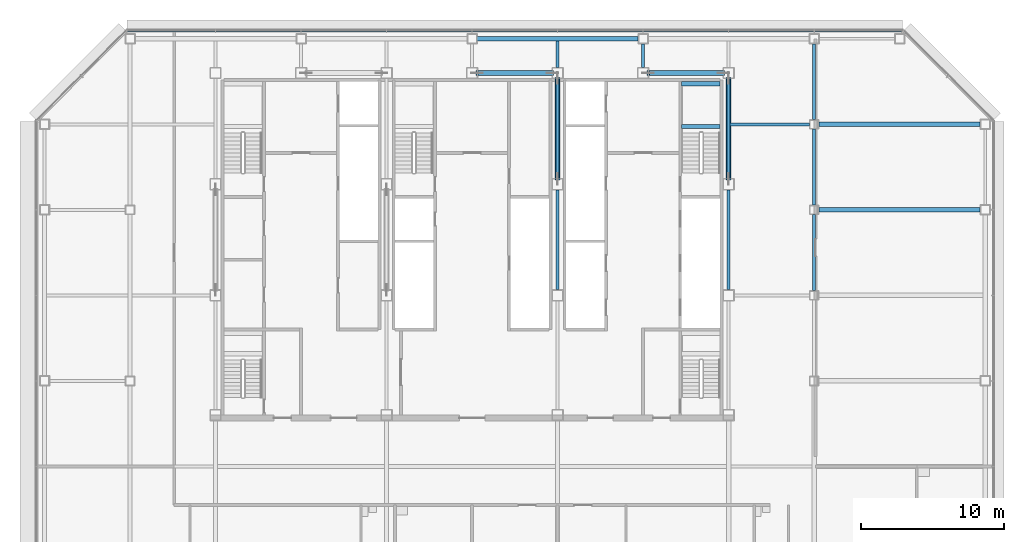
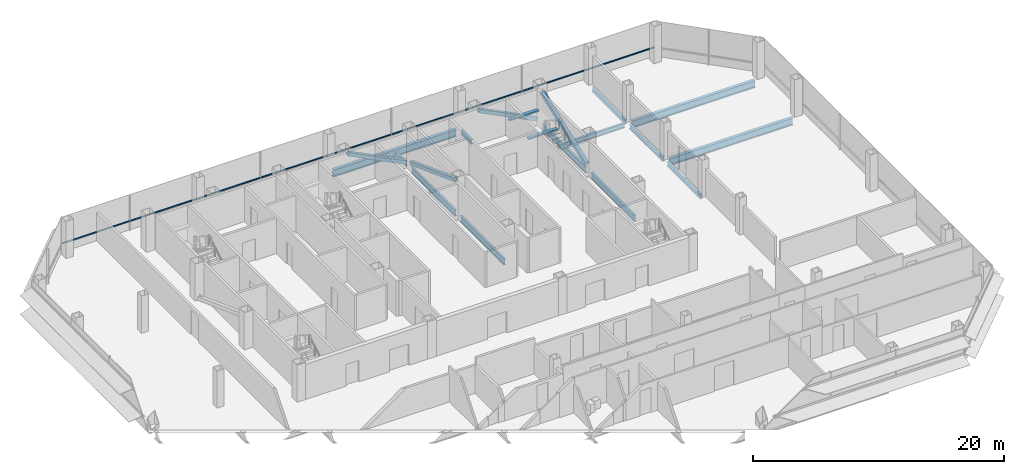
# One storey, part 13 of 24: 15 beams, 5 members, 1 element without a shape of its own.
"""IFC4 building model written with IfcOpenShell, lengths in metres."""

import ifcopenshell
import ifcopenshell.guid

model = None  # the IFC model being written
_history = None  # IfcOwnerHistory: only IFC2X3 demands one
_inside = {}  # id of a spatial element -> (the spatial element, [elements in it])
_under = {}  # id of a project, library or spatial element -> (it, [spatial elements below it])
_declared = {}  # id of a project -> (the project, [libraries it declares])
_typed = {}  # id of a type object -> (the type object, [elements of that type])
_made_of = {}  # id of a material, layer set ... -> (it, [elements and type objects made of it])


def new_model(schema):
    """Start an empty IFC model of exactly this schema.

    Asked for "IFC4X3", IfcOpenShell would pick the latest addendum, in which some entities
    have other attributes; the version numbers below select the first issue.
    IFC2X3 requires an IfcOwnerHistory on every rooted entity: one is made here for all.
    """
    global model, _history
    if schema == "IFC4X3":
        model = ifcopenshell.file(schema_version=(4, 3, 0, 0))
    else:
        model = ifcopenshell.file(schema=schema)
    _inside.clear()
    _under.clear()
    _declared.clear()
    _typed.clear()
    _made_of.clear()
    _history = None
    if model.schema == "IFC2X3":
        org = make("IfcOrganization", Name="unknown")
        user = make(
            "IfcPersonAndOrganization",
            ThePerson=make("IfcPerson", FamilyName="unknown"),
            TheOrganization=org,
        )
        app = make(
            "IfcApplication",
            ApplicationDeveloper=org,
            Version="unknown",
            ApplicationFullName="unknown",
            ApplicationIdentifier="unknown",
        )
        _history = make(
            "IfcOwnerHistory",
            OwningUser=user,
            OwningApplication=app,
            ChangeAction="ADDED",
            CreationDate=0,
        )
    return model


def make(cls, **values):
    """One entity of the class cls with the attributes given. An attribute that is None is left unset."""
    return model.create_entity(
        cls, **{name: value for name, value in values.items() if value is not None}
    )


def rooted(cls, **values):
    """An entity with a GlobalId (a new one), such as an element, a storey or a relation."""
    return make(cls, GlobalId=ifcopenshell.guid.new(), OwnerHistory=_history, **values)


def si_unit(unit_type, name, prefix=None):
    """IfcSIUnit, for example si_unit("LENGTHUNIT", "METRE", prefix="MILLI")."""
    return make("IfcSIUnit", UnitType=unit_type, Prefix=prefix, Name=name)


def assignment(units):
    """IfcUnitAssignment: the units of a project."""
    return None if units is None else make("IfcUnitAssignment", Units=units)


def point(xyz):
    """IfcCartesianPoint."""
    return None if xyz is None else make("IfcCartesianPoint", Coordinates=xyz)


def direction(xyz):
    """IfcDirection."""
    return None if xyz is None else make("IfcDirection", DirectionRatios=xyz)


def frame(location, z_axis=None, x_axis=None):
    """IfcAxis2Placement3D, a coordinate frame: its origin and axes. An axis left out is left unset."""
    return make(
        "IfcAxis2Placement3D",
        Location=point(location),
        Axis=direction(z_axis),
        RefDirection=direction(x_axis),
    )


def frame_2d(location, x_axis=None):
    """IfcAxis2Placement2D, a coordinate frame in the plane: its origin and x axis."""
    return make(
        "IfcAxis2Placement2D", Location=point(location), RefDirection=direction(x_axis)
    )


def origin():
    """The frame at (0, 0, 0) with its axes left unset."""
    return frame((0.0, 0.0, 0.0))


def origin_2d():
    """The frame at (0, 0) in the plane with its x axis left unset."""
    return frame_2d((0.0, 0.0))


def place(relative_to, where):
    """IfcLocalPlacement: puts the frame where relative to a parent placement (None: the world)."""
    return make(
        "IfcLocalPlacement", PlacementRelTo=relative_to, RelativePlacement=where
    )


def context(
    kind, dimensions, precision=None, world=None, true_north=None, identifier=None
):
    """IfcGeometricRepresentationContext, for example the 3D "Model" context."""
    return make(
        "IfcGeometricRepresentationContext",
        ContextIdentifier=identifier,
        ContextType=kind,
        CoordinateSpaceDimension=dimensions,
        Precision=precision,
        WorldCoordinateSystem=world,
        TrueNorth=true_north,
    )


def subcontext(parent, identifier, kind, view, scale=None):
    """IfcGeometricRepresentationSubContext, for example "Body" below "Model"."""
    return make(
        "IfcGeometricRepresentationSubContext",
        ContextIdentifier=identifier,
        ContextType=kind,
        ParentContext=parent,
        TargetScale=scale,
        TargetView=view,
    )


def project(units=None, contexts=None):
    """IfcProject with its units and contexts."""
    return rooted(
        "IfcProject",
        Name="project",
        RepresentationContexts=contexts,
        UnitsInContext=assignment(units),
    )


def spatial(cls, under=None, at=None, **own):
    """A site, building, storey or space (cls), placed at a placement, below another one or the project."""
    s = rooted(cls, ObjectPlacement=at, **own)
    if under is not None:
        _under.setdefault(under.id(), (under, []))[1].append(s)
    return s


def profile(cls, at=None, kind="AREA", **sizes):
    """A parametric profile (cls). Its sizes go by their IFC names, for example OverallWidth=200.0."""
    return make(cls, ProfileType=kind, Position=at, **sizes)


def rectangle(**sizes):
    """IfcRectangleProfileDef."""
    return profile("IfcRectangleProfileDef", **sizes)


def hollow_rectangle(**sizes):
    """IfcRectangleHollowProfileDef."""
    return profile("IfcRectangleHollowProfileDef", **sizes)


def i_section(**sizes):
    """IfcIShapeProfileDef."""
    return profile("IfcIShapeProfileDef", **sizes)


def extrude(swept, where, along, depth):
    """IfcExtrudedAreaSolid: the profile swept, set in the frame where, extruded along a direction by depth."""
    return make(
        "IfcExtrudedAreaSolid",
        SweptArea=swept,
        Position=where,
        ExtrudedDirection=direction(along),
        Depth=depth,
    )


def shape(context_of_items, identifier, shape_type, items):
    """IfcShapeRepresentation: the items that make up one representation, for example the "Body"."""
    return make(
        "IfcShapeRepresentation",
        ContextOfItems=context_of_items,
        RepresentationIdentifier=identifier,
        RepresentationType=shape_type,
        Items=items,
    )


def material(Name=None, Category=None):
    """IfcMaterial."""
    return make("IfcMaterial", Name=Name, Category=Category)


def material_profile(
    of_material, cross_section, Name=None, Category=None, Priority=None
):
    """IfcMaterialProfile: a cross section and its material."""
    return make(
        "IfcMaterialProfile",
        Name=Name,
        Material=of_material,
        Profile=cross_section,
        Priority=Priority,
        Category=Category,
    )


def profile_set(profiles, Name=None, composite=None):
    """IfcMaterialProfileSet."""
    return make(
        "IfcMaterialProfileSet",
        Name=Name,
        MaterialProfiles=profiles,
        CompositeProfile=composite,
    )


def made_of(thing, what):
    """Note that an element or type object is made of a material, layer set ...; save() writes the relation."""
    if what is not None:
        _made_of.setdefault(what.id(), (what, []))[1].append(thing)
    return thing


def type_object(cls, material=None, **own):
    """A type object (cls), such as IfcWallType, which elements share."""
    return made_of(rooted(cls, **own), material)


def element(
    cls,
    number,
    at=None,
    inside=None,
    cuts=None,
    type_object=None,
    material=None,
    context=None,
    identifier="Body",
    shape_type=None,
    held_by="IfcProductDefinitionShape",
    body=None,
    shapes=None,
    **own,
):
    """One element of the class cls, such as IfcWall. Its Tag is "e" and its number.

    at: its placement. inside: the storey or other place that contains it. cuts: it is an
    opening in that element (IfcRelVoidsElement). A single representation is given by context,
    identifier, shape_type and body (its items); several are given by shapes. held_by: the class
    of the entity that holds the representations. save() writes the other relations.
    """
    e = rooted(cls, Tag="e%d" % number, ObjectPlacement=at, **own)
    if body is not None:
        shapes = [shape(context, identifier, shape_type, body)]
    if shapes is not None:
        e.Representation = make(held_by, Representations=shapes)
    if inside is not None:
        _inside.setdefault(inside.id(), (inside, []))[1].append(e)
    if cuts is not None:
        rooted(
            "IfcRelVoidsElement", RelatingBuildingElement=cuts, RelatedOpeningElement=e
        )
    if type_object is not None:
        _typed.setdefault(type_object.id(), (type_object, []))[1].append(e)
    return made_of(e, material)


def aggregate(whole, parts):
    """IfcRelAggregates: a whole, such as a stair, and the parts it consists of."""
    return rooted("IfcRelAggregates", RelatingObject=whole, RelatedObjects=parts)


def save(model, path):
    """Write the relations noted so far, then the file.

    IfcRelAggregates (storeys below a building ...), IfcRelContainedInSpatialStructure (elements
    in a storey), IfcRelDefinesByType, IfcRelAssociatesMaterial and IfcRelDeclares: one each for
    every whole, place, type object, material and project.
    """
    for whole, parts in _under.values():
        aggregate(whole, parts)
    for where, things in _inside.values():
        rooted(
            "IfcRelContainedInSpatialStructure",
            RelatedElements=things,
            RelatingStructure=where,
        )
    for kind, things in _typed.values():
        rooted("IfcRelDefinesByType", RelatedObjects=things, RelatingType=kind)
    for what, things in _made_of.values():
        rooted("IfcRelAssociatesMaterial", RelatedObjects=things, RelatingMaterial=what)
    for by, libraries in _declared.values():
        rooted("IfcRelDeclares", RelatingContext=by, RelatedDefinitions=libraries)
    model.write(path)


model = new_model("IFC4")

# Units and contexts
model_context = context("Model", 3, precision=1e-05, world=origin(), true_north=direction((0.0, 1.0)))
body_context = subcontext(model_context, "Body", "Model", "MODEL_VIEW")
ifc_project = project(units=[si_unit("LENGTHUNIT", "METRE"), si_unit("AREAUNIT", "SQUARE_METRE"), si_unit("VOLUMEUNIT", "CUBIC_METRE"), si_unit("PLANEANGLEUNIT", "RADIAN"), si_unit("MASSUNIT", "GRAM", prefix="KILO")], contexts=[model_context])

# Site, building, storey
site_placement = place(None, origin())
site = spatial("IfcSite", under=ifc_project, at=site_placement, CompositionType="ELEMENT")
building_placement = place(site_placement, origin())
building = spatial("IfcBuilding", under=site, at=building_placement, Name="Sorahane Residences", CompositionType="ELEMENT")
storey_placement = place(building_placement, frame((0.0, 0.0, 178.0)))
storey = spatial("IfcBuildingStorey", under=building, at=storey_placement, Name="L41", CompositionType="ELEMENT", Elevation=178.0)

# Members
ifc_material_1 = material(Name="Steel Q355B", Category="steel")
ifc_material_profile_1 = material_profile(ifc_material_1, hollow_rectangle(XDim=0.35009765625, YDim=0.35009765625, WallThickness=0.01806640625, InnerFilletRadius=0.009033203125, OuterFilletRadius=0.027099609375, at=origin_2d()), Name="RHS 350x350x18")
ifc_profile_set_1 = profile_set([ifc_material_profile_1], Name="Steel Q355B")
member_type_1 = type_object("IfcMemberType", Name="Core brace RHS 350x350x18 Q355B", PredefinedType="BRACE", material=ifc_profile_set_1)
for number, where, z_axis, x_axis, name in (
    (1, (29.647216796875, 45.60009765625, 0.151123046875), (-0.893039246852, 0.0, 0.449978781258), (0.0, -1.0, 0.0), "Core brace L41 y45.6-4"),
    (2, (41.647216796875, 45.60009765625, 0.151123046875), (-0.893039246852, 0.0, 0.449978781258), (0.0, -1.0, 0.0), "Core brace L41 y45.6-6"),
):
    element("IfcMember", number, at=place(storey_placement, frame(where, z_axis=z_axis, x_axis=x_axis)), inside=storey, type_object=member_type_1, Name=name, PredefinedType="BRACE", context=body_context, shape_type="SweptSolid", body=[
        extrude(hollow_rectangle(XDim=0.35009765625, YDim=0.35009765625, WallThickness=0.01806640625, InnerFilletRadius=0.009033203125, OuterFilletRadius=0.027099609375, at=origin_2d()), origin(), (0.0, 0.0, 1.0), 5.928466796875),
    ])
for number, where, z_axis, x_axis, name in (
    (3, (42.0, 38.1630859375, 0.1611328125), (0.0, 0.93654419724, 0.350549520918), (-1.0, 0.0, 0.0), "Core brace L41 x42-3"),
    (4, (30.0, 45.23681640625, 0.1611328125), (0.0, -0.93654419724, 0.350549520918), (1.0, 0.0, 0.0), "Core brace L41 x30-2"),
):
    element("IfcMember", number, at=place(storey_placement, frame(where, z_axis=z_axis, x_axis=x_axis)), inside=storey, type_object=member_type_1, Name=name, PredefinedType="BRACE", context=body_context, shape_type="SweptSolid", body=[
        extrude(hollow_rectangle(XDim=0.35009765625, YDim=0.35009765625, WallThickness=0.01806640625, InnerFilletRadius=0.009033203125, OuterFilletRadius=0.027099609375, at=origin_2d()), origin(), (0.0, 0.0, 1.0), 7.552978515625),
    ])

# Curtain wall, member
ifc_material_2 = material(Name="Dark low-e glass and black anodised aluminium", Category="aluminium")
curtain_wall_type = type_object("IfcCurtainWallType", Name="Curtain wall CW-1 Typical unitised wall", PredefinedType="NOTDEFINED", material=ifc_material_2)
curtain_wall_placement = place(storey_placement, origin())
curtain_wall = element("IfcCurtainWall", 5, at=curtain_wall_placement, inside=storey, type_object=curtain_wall_type, Name="CW-1 curtain wall L41 N1", PredefinedType="NOTDEFINED")
ifc_material_3 = material(Name="Black anodised aluminium", Category="aluminium")
ifc_material_profile_2 = material_profile(ifc_material_3, rectangle(XDim=0.10009765625, YDim=0.06005859375, at=origin_2d()), Name="Curtain wall transom CW-1 black anodised aluminium 60x100")
ifc_profile_set_2 = profile_set([ifc_material_profile_2], Name="Black anodised aluminium")
member_type_2 = type_object("IfcMemberType", Name="Curtain wall transom CW-1 black anodised aluminium 60x100", PredefinedType="USERDEFINED", material=ifc_profile_set_2)
member_placement = place(storey_placement, frame((54.198486328125, 48.530029296875, 0.89990234375), z_axis=(-1.0, 0.0, 0.0), x_axis=(0.0, -1.0, 0.0)))
member = element("IfcMember", 6, at=member_placement, type_object=member_type_2, Name="CW-1 transom L41 N1", ObjectType="TRANSOM", PredefinedType="USERDEFINED", context=body_context, shape_type="SweptSolid", body=[
    extrude(rectangle(XDim=0.10009765625, YDim=0.06005859375, at=origin_2d()), origin(), (0.0, 0.0, 1.0), 54.39697265625),
])
aggregate(curtain_wall, [member])

# Beams
ifc_material_4 = material(Name="Concrete C40", Category="concrete")
ifc_material_profile_3 = material_profile(ifc_material_4, rectangle(XDim=0.300048828125, YDim=0.139892578125, at=origin_2d()), Name="300x140")
ifc_profile_set_3 = profile_set([ifc_material_profile_3], Name="Concrete C40")
beam_type_1 = type_object("IfcBeamType", Name="RC landing beam 300 x 140 Concrete C40", PredefinedType="BEAM", material=ifc_profile_set_3)
for number, where, z_axis, x_axis, name in (
    (7, (38.699951171875, 41.85009765625, 1.530029296875), (1.0, 0.0, 0.0), (0.0, 1.0, 0.0), "Landing beam"),
    (8, (38.699951171875, 44.85009765625, 1.530029296875), (1.0, 0.0, 0.0), (0.0, 1.0, 0.0), "Landing beam"),
):
    element("IfcBeam", number, at=place(storey_placement, frame(where, z_axis=z_axis, x_axis=x_axis)), inside=storey, type_object=beam_type_1, Name=name, PredefinedType="BEAM", context=body_context, shape_type="SweptSolid", body=[
        extrude(rectangle(XDim=0.300048828125, YDim=0.139892578125, at=origin_2d()), origin(), (0.0, 0.0, 1.0), 2.699951171875),
    ])
ifc_material_5 = material(Name="Steel Q355B", Category="steel")
ifc_material_profile_4 = material_profile(ifc_material_5, i_section(OverallWidth=0.199951171875, OverallDepth=0.449951171875, WebThickness=0.009033203125, FlangeThickness=0.013916015625, FilletRadius=0.02001953125, at=origin_2d()), Name="HN 450x200x9x14")
ifc_profile_set_4 = profile_set([ifc_material_profile_4], Name="Steel Q355B")
beam_type_2 = type_object("IfcBeamType", Name="Steel floor beam HN 450x200x9x14 Q355B", PredefinedType="BEAM", material=ifc_profile_set_4)
beam_1_placement = place(storey_placement, frame((30.0, 46.0, -0.405029296875), z_axis=(0.0, 1.0, 0.0), x_axis=(-1.0, 0.0, 0.0)))
element("IfcBeam", 9, at=beam_1_placement, inside=storey, type_object=beam_type_2, Name="Beam L41 049", PredefinedType="BEAM", context=body_context, shape_type="SweptSolid", body=[
    extrude(i_section(OverallWidth=0.199951171875, OverallDepth=0.449951171875, WebThickness=0.009033203125, FlangeThickness=0.013916015625, FilletRadius=0.02001953125, at=origin_2d()), origin(), (0.0, 0.0, 1.0), 1.85009765625),
])
beam_2_placement = place(storey_placement, frame((36.0, 46.0, -0.405029296875), z_axis=(0.0, 1.0, 0.0), x_axis=(-1.0, 0.0, 0.0)))
element("IfcBeam", 10, at=beam_2_placement, inside=storey, type_object=beam_type_2, Name="Beam L41 051", PredefinedType="BEAM", context=body_context, shape_type="SweptSolid", body=[
    extrude(i_section(OverallWidth=0.199951171875, OverallDepth=0.449951171875, WebThickness=0.009033203125, FlangeThickness=0.013916015625, FilletRadius=0.02001953125, at=origin_2d()), origin(), (0.0, 0.0, 1.0), 1.64990234375),
])
for number, where, z_axis, x_axis, name in (
    (11, (48.0, 30.324951171875, -0.405029296875), (0.0, 1.0, 0.0), (-1.0, 0.0, 0.0), "Beam L41 061"),
    (12, (48.0, 36.324951171875, -0.405029296875), (0.0, 1.0, 0.0), (-1.0, 0.0, 0.0), "Beam L41 062"),
):
    element("IfcBeam", number, at=place(storey_placement, frame(where, z_axis=z_axis, x_axis=x_axis)), inside=storey, type_object=beam_type_2, Name=name, PredefinedType="BEAM", context=body_context, shape_type="SweptSolid", body=[
        extrude(i_section(OverallWidth=0.199951171875, OverallDepth=0.449951171875, WebThickness=0.009033203125, FlangeThickness=0.013916015625, FilletRadius=0.02001953125, at=origin_2d()), origin(), (0.0, 0.0, 1.0), 5.35009765625),
    ])
beam_3_placement = place(storey_placement, frame((48.0, 42.324951171875, -0.405029296875), z_axis=(0.0, 1.0, 0.0), x_axis=(-1.0, 0.0, 0.0)))
element("IfcBeam", 13, at=beam_3_placement, inside=storey, type_object=beam_type_2, Name="Beam L41 063", PredefinedType="BEAM", context=body_context, shape_type="SweptSolid", body=[
    extrude(i_section(OverallWidth=0.199951171875, OverallDepth=0.449951171875, WebThickness=0.009033203125, FlangeThickness=0.013916015625, FilletRadius=0.02001953125, at=origin_2d()), origin(), (0.0, 0.0, 1.0), 5.324951171875),
])
beam_4_placement = place(storey_placement, frame((42.10009765625, 42.0, -0.405029296875), z_axis=(1.0, 0.0, 0.0), x_axis=(0.0, 1.0, 0.0)))
element("IfcBeam", 14, at=beam_4_placement, inside=storey, type_object=beam_type_2, Name="Beam L41 091", PredefinedType="BEAM", context=body_context, shape_type="SweptSolid", body=[
    extrude(i_section(OverallWidth=0.199951171875, OverallDepth=0.449951171875, WebThickness=0.009033203125, FlangeThickness=0.013916015625, FilletRadius=0.02001953125, at=origin_2d()), origin(), (0.0, 0.0, 1.0), 5.574951171875),
])
ifc_material_6 = material(Name="Steel Q355B", Category="steel")
ifc_material_profile_5 = material_profile(ifc_material_6, i_section(OverallWidth=0.199951171875, OverallDepth=0.60009765625, WebThickness=0.010986328125, FlangeThickness=0.01708984375, FilletRadius=0.02392578125, at=origin_2d()), Name="HN 600x200x11x17")
ifc_profile_set_5 = profile_set([ifc_material_profile_5], Name="Steel Q355B")
beam_type_3 = type_object("IfcBeamType", Name="Steel floor beam HN 600x200x11x17 Q355B", PredefinedType="BEAM", material=ifc_profile_set_5)
for number, where, z_axis, x_axis, name in (
    (15, (30.0, 30.39990234375, -0.47998046875), (0.0, 1.0, 0.0), (-1.0, 0.0, 0.0), "Beam L41 047"),
    (16, (30.0, 38.199951171875, -0.47998046875), (0.0, 1.0, 0.0), (-1.0, 0.0, 0.0), "Beam L41 048"),
    (17, (42.0, 30.39990234375, -0.47998046875), (0.0, 1.0, 0.0), (-1.0, 0.0, 0.0), "Beam L41 055"),
    (18, (42.0, 38.199951171875, -0.47998046875), (0.0, 1.0, 0.0), (-1.0, 0.0, 0.0), "Beam L41 056"),
):
    element("IfcBeam", number, at=place(storey_placement, frame(where, z_axis=z_axis, x_axis=x_axis)), inside=storey, type_object=beam_type_3, Name=name, PredefinedType="BEAM", context=body_context, shape_type="SweptSolid", body=[
        extrude(i_section(OverallWidth=0.199951171875, OverallDepth=0.60009765625, WebThickness=0.010986328125, FlangeThickness=0.01708984375, FilletRadius=0.02392578125, at=origin_2d()), origin(), (0.0, 0.0, 1.0), 7.0),
    ])
ifc_material_7 = material(Name="Steel Q355B", Category="steel")
ifc_material_profile_6 = material_profile(ifc_material_7, i_section(OverallWidth=0.300048828125, OverallDepth=0.699951171875, WebThickness=0.012939453125, FlangeThickness=0.02392578125, FilletRadius=0.028076171875, at=origin_2d()), Name="HN 700x300x13x24")
ifc_profile_set_6 = profile_set([ifc_material_profile_6], Name="Steel Q355B")
beam_type_4 = type_object("IfcBeamType", Name="Steel floor beam HN 700x300x13x24 Q355B", PredefinedType="BEAM", material=ifc_profile_set_6)
beam_5_placement = place(storey_placement, frame((48.324951171875, 36.0, -0.530029296875), z_axis=(1.0, 0.0, 0.0), x_axis=(0.0, 1.0, 0.0)))
element("IfcBeam", 19, at=beam_5_placement, inside=storey, type_object=beam_type_4, Name="Beam L41 014", PredefinedType="BEAM", context=body_context, shape_type="SweptSolid", body=[
    extrude(i_section(OverallWidth=0.300048828125, OverallDepth=0.699951171875, WebThickness=0.012939453125, FlangeThickness=0.02392578125, FilletRadius=0.028076171875, at=origin_2d()), origin(), (0.0, 0.0, 1.0), 11.324951171875),
])
beam_6_placement = place(storey_placement, frame((24.35009765625, 48.0, -0.530029296875), z_axis=(1.0, 0.0, 0.0), x_axis=(0.0, 1.0, 0.0)))
element("IfcBeam", 20, at=beam_6_placement, inside=storey, type_object=beam_type_4, Name="Beam L41 017", PredefinedType="BEAM", context=body_context, shape_type="SweptSolid", body=[
    extrude(i_section(OverallWidth=0.300048828125, OverallDepth=0.699951171875, WebThickness=0.012939453125, FlangeThickness=0.02392578125, FilletRadius=0.028076171875, at=origin_2d()), origin(), (0.0, 0.0, 1.0), 11.2998046875),
])
beam_7_placement = place(storey_placement, frame((48.324951171875, 42.0, -0.530029296875), z_axis=(1.0, 0.0, 0.0), x_axis=(0.0, 1.0, 0.0)))
element("IfcBeam", 21, at=beam_7_placement, inside=storey, type_object=beam_type_4, Name="Beam L41 092", PredefinedType="BEAM", context=body_context, shape_type="SweptSolid", body=[
    extrude(i_section(OverallWidth=0.300048828125, OverallDepth=0.699951171875, WebThickness=0.012939453125, FlangeThickness=0.02392578125, FilletRadius=0.028076171875, at=origin_2d()), origin(), (0.0, 0.0, 1.0), 11.324951171875),
])

save(model, "model.ifc")
